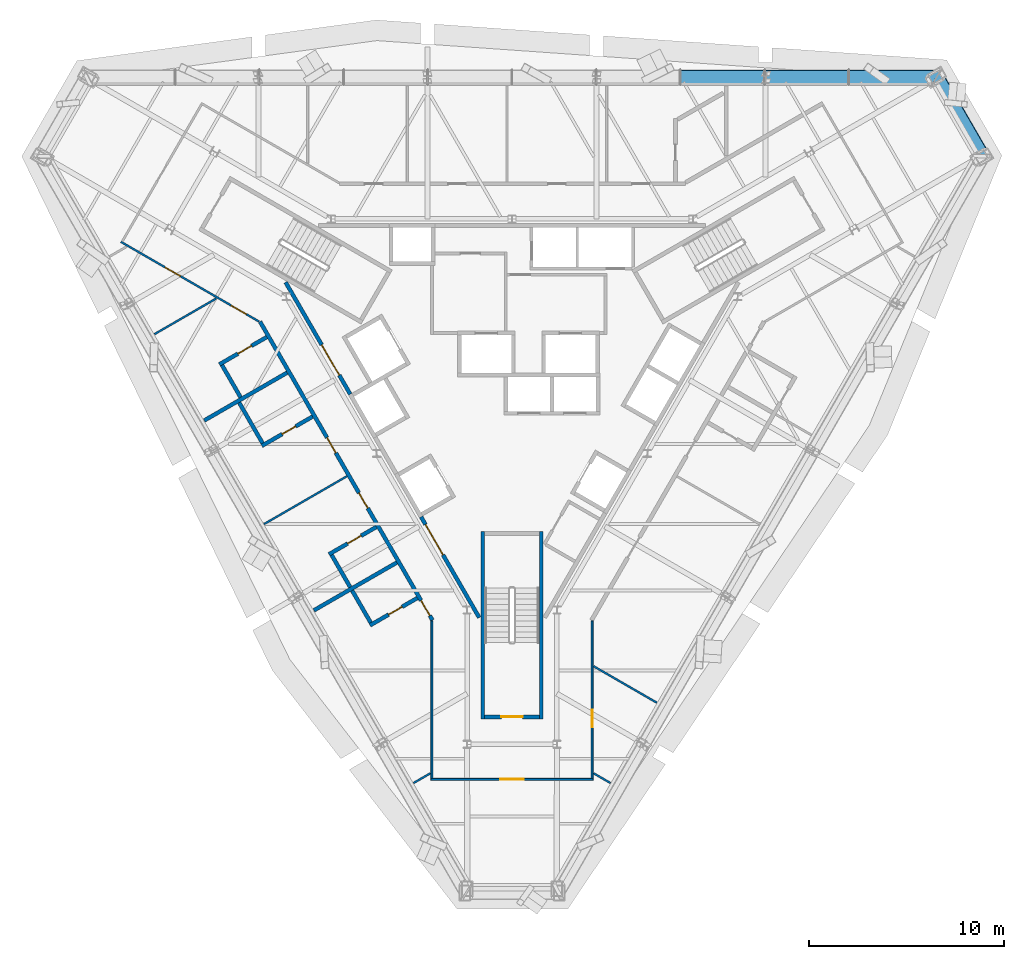
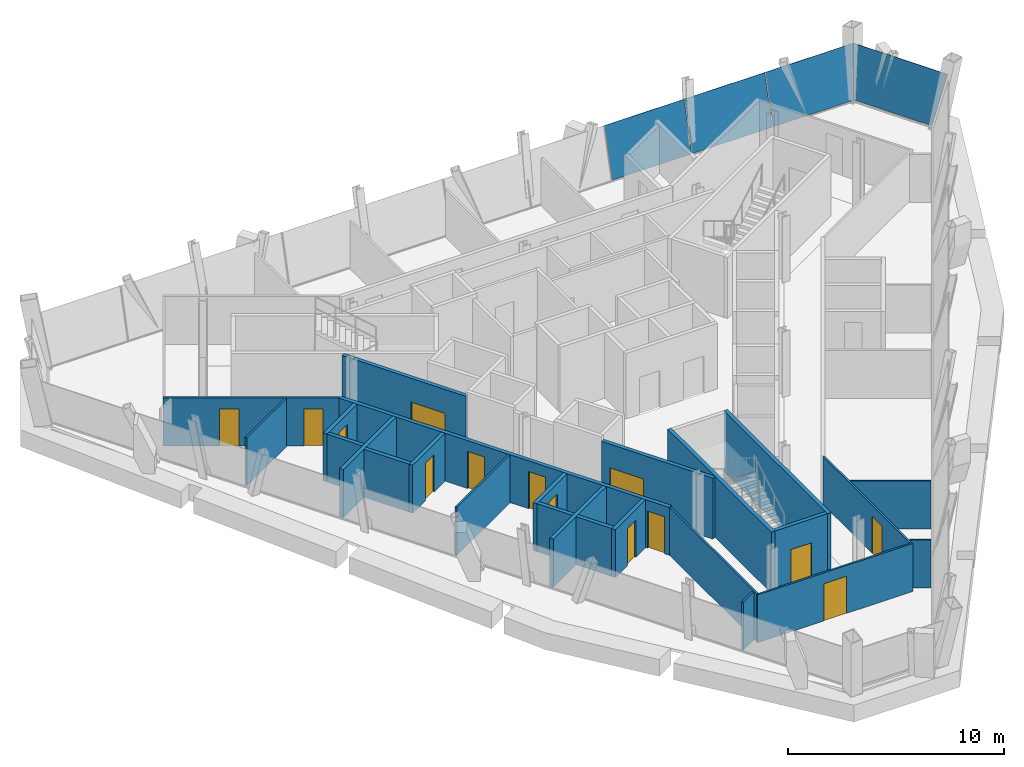
# One storey, part 6 of 10: 25 walls, 14 doors, 4 plates, 14 openings, 2 elements without a shape of their own.
"""IFC4 building model written with IfcOpenShell, lengths in metres."""

import ifcopenshell
import ifcopenshell.guid

model = None  # the IFC model being written
_history = None  # IfcOwnerHistory: only IFC2X3 demands one
_inside = {}  # id of a spatial element -> (the spatial element, [elements in it])
_under = {}  # id of a project, library or spatial element -> (it, [spatial elements below it])
_declared = {}  # id of a project -> (the project, [libraries it declares])
_typed = {}  # id of a type object -> (the type object, [elements of that type])
_made_of = {}  # id of a material, layer set ... -> (it, [elements and type objects made of it])


def new_model(schema):
    """Start an empty IFC model of exactly this schema.

    Asked for "IFC4X3", IfcOpenShell would pick the latest addendum, in which some entities
    have other attributes; the version numbers below select the first issue.
    IFC2X3 requires an IfcOwnerHistory on every rooted entity: one is made here for all.
    """
    global model, _history
    if schema == "IFC4X3":
        model = ifcopenshell.file(schema_version=(4, 3, 0, 0))
    else:
        model = ifcopenshell.file(schema=schema)
    _inside.clear()
    _under.clear()
    _declared.clear()
    _typed.clear()
    _made_of.clear()
    _history = None
    if model.schema == "IFC2X3":
        org = make("IfcOrganization", Name="unknown")
        user = make(
            "IfcPersonAndOrganization",
            ThePerson=make("IfcPerson", FamilyName="unknown"),
            TheOrganization=org,
        )
        app = make(
            "IfcApplication",
            ApplicationDeveloper=org,
            Version="unknown",
            ApplicationFullName="unknown",
            ApplicationIdentifier="unknown",
        )
        _history = make(
            "IfcOwnerHistory",
            OwningUser=user,
            OwningApplication=app,
            ChangeAction="ADDED",
            CreationDate=0,
        )
    return model


def make(cls, **values):
    """One entity of the class cls with the attributes given. An attribute that is None is left unset."""
    return model.create_entity(
        cls, **{name: value for name, value in values.items() if value is not None}
    )


def rooted(cls, **values):
    """An entity with a GlobalId (a new one), such as an element, a storey or a relation."""
    return make(cls, GlobalId=ifcopenshell.guid.new(), OwnerHistory=_history, **values)


def si_unit(unit_type, name, prefix=None):
    """IfcSIUnit, for example si_unit("LENGTHUNIT", "METRE", prefix="MILLI")."""
    return make("IfcSIUnit", UnitType=unit_type, Prefix=prefix, Name=name)


def assignment(units):
    """IfcUnitAssignment: the units of a project."""
    return None if units is None else make("IfcUnitAssignment", Units=units)


def point(xyz):
    """IfcCartesianPoint."""
    return None if xyz is None else make("IfcCartesianPoint", Coordinates=xyz)


def direction(xyz):
    """IfcDirection."""
    return None if xyz is None else make("IfcDirection", DirectionRatios=xyz)


def frame(location, z_axis=None, x_axis=None):
    """IfcAxis2Placement3D, a coordinate frame: its origin and axes. An axis left out is left unset."""
    return make(
        "IfcAxis2Placement3D",
        Location=point(location),
        Axis=direction(z_axis),
        RefDirection=direction(x_axis),
    )


def frame_2d(location, x_axis=None):
    """IfcAxis2Placement2D, a coordinate frame in the plane: its origin and x axis."""
    return make(
        "IfcAxis2Placement2D", Location=point(location), RefDirection=direction(x_axis)
    )


def origin():
    """The frame at (0, 0, 0) with its axes left unset."""
    return frame((0.0, 0.0, 0.0))


def place(relative_to, where):
    """IfcLocalPlacement: puts the frame where relative to a parent placement (None: the world)."""
    return make(
        "IfcLocalPlacement", PlacementRelTo=relative_to, RelativePlacement=where
    )


def context(
    kind, dimensions, precision=None, world=None, true_north=None, identifier=None
):
    """IfcGeometricRepresentationContext, for example the 3D "Model" context."""
    return make(
        "IfcGeometricRepresentationContext",
        ContextIdentifier=identifier,
        ContextType=kind,
        CoordinateSpaceDimension=dimensions,
        Precision=precision,
        WorldCoordinateSystem=world,
        TrueNorth=true_north,
    )


def subcontext(parent, identifier, kind, view, scale=None):
    """IfcGeometricRepresentationSubContext, for example "Body" below "Model"."""
    return make(
        "IfcGeometricRepresentationSubContext",
        ContextIdentifier=identifier,
        ContextType=kind,
        ParentContext=parent,
        TargetScale=scale,
        TargetView=view,
    )


def project(units=None, contexts=None):
    """IfcProject with its units and contexts."""
    return rooted(
        "IfcProject",
        Name="project",
        RepresentationContexts=contexts,
        UnitsInContext=assignment(units),
    )


def spatial(cls, under=None, at=None, **own):
    """A site, building, storey or space (cls), placed at a placement, below another one or the project."""
    s = rooted(cls, ObjectPlacement=at, **own)
    if under is not None:
        _under.setdefault(under.id(), (under, []))[1].append(s)
    return s


def polyline(points):
    """IfcPolyline through the points."""
    return make("IfcPolyline", Points=[point(p) for p in points])


def profile(cls, at=None, kind="AREA", **sizes):
    """A parametric profile (cls). Its sizes go by their IFC names, for example OverallWidth=200.0."""
    return make(cls, ProfileType=kind, Position=at, **sizes)


def rectangle(**sizes):
    """IfcRectangleProfileDef."""
    return profile("IfcRectangleProfileDef", **sizes)


def outline(outer, holes=None, kind="AREA"):
    """IfcArbitraryClosedProfileDef: a profile drawn as a closed curve; with holes, ...WithVoids."""
    if holes is None:
        return make("IfcArbitraryClosedProfileDef", ProfileType=kind, OuterCurve=outer)
    return make(
        "IfcArbitraryProfileDefWithVoids",
        ProfileType=kind,
        OuterCurve=outer,
        InnerCurves=holes,
    )


def extrude(swept, where, along, depth):
    """IfcExtrudedAreaSolid: the profile swept, set in the frame where, extruded along a direction by depth."""
    return make(
        "IfcExtrudedAreaSolid",
        SweptArea=swept,
        Position=where,
        ExtrudedDirection=direction(along),
        Depth=depth,
    )


def shape(context_of_items, identifier, shape_type, items):
    """IfcShapeRepresentation: the items that make up one representation, for example the "Body"."""
    return make(
        "IfcShapeRepresentation",
        ContextOfItems=context_of_items,
        RepresentationIdentifier=identifier,
        RepresentationType=shape_type,
        Items=items,
    )


def material(Name=None, Category=None):
    """IfcMaterial."""
    return make("IfcMaterial", Name=Name, Category=Category)


def layer(
    of_material, thickness, ventilated=None, Name=None, Category=None, Priority=None
):
    """IfcMaterialLayer: one layer of a wall or slab, of a material (None: an air gap)."""
    return make(
        "IfcMaterialLayer",
        Material=of_material,
        LayerThickness=thickness,
        IsVentilated=ventilated,
        Name=Name,
        Category=Category,
        Priority=Priority,
    )


def layer_set(layers, Name=None):
    """IfcMaterialLayerSet."""
    return make("IfcMaterialLayerSet", MaterialLayers=layers, LayerSetName=Name)


def made_of(thing, what):
    """Note that an element or type object is made of a material, layer set ...; save() writes the relation."""
    if what is not None:
        _made_of.setdefault(what.id(), (what, []))[1].append(thing)
    return thing


def type_object(cls, material=None, **own):
    """A type object (cls), such as IfcWallType, which elements share."""
    return made_of(rooted(cls, **own), material)


def element(
    cls,
    number,
    at=None,
    inside=None,
    cuts=None,
    type_object=None,
    material=None,
    context=None,
    identifier="Body",
    shape_type=None,
    held_by="IfcProductDefinitionShape",
    body=None,
    shapes=None,
    **own,
):
    """One element of the class cls, such as IfcWall. Its Tag is "e" and its number.

    at: its placement. inside: the storey or other place that contains it. cuts: it is an
    opening in that element (IfcRelVoidsElement). A single representation is given by context,
    identifier, shape_type and body (its items); several are given by shapes. held_by: the class
    of the entity that holds the representations. save() writes the other relations.
    """
    e = rooted(cls, Tag="e%d" % number, ObjectPlacement=at, **own)
    if body is not None:
        shapes = [shape(context, identifier, shape_type, body)]
    if shapes is not None:
        e.Representation = make(held_by, Representations=shapes)
    if inside is not None:
        _inside.setdefault(inside.id(), (inside, []))[1].append(e)
    if cuts is not None:
        rooted(
            "IfcRelVoidsElement", RelatingBuildingElement=cuts, RelatedOpeningElement=e
        )
    if type_object is not None:
        _typed.setdefault(type_object.id(), (type_object, []))[1].append(e)
    return made_of(e, material)


def fill(opening, filler):
    """IfcRelFillsElement: the door or window that sits in an opening."""
    return rooted(
        "IfcRelFillsElement",
        RelatingOpeningElement=opening,
        RelatedBuildingElement=filler,
    )


def aggregate(whole, parts):
    """IfcRelAggregates: a whole, such as a stair, and the parts it consists of."""
    return rooted("IfcRelAggregates", RelatingObject=whole, RelatedObjects=parts)


def save(model, path):
    """Write the relations noted so far, then the file.

    IfcRelAggregates (storeys below a building ...), IfcRelContainedInSpatialStructure (elements
    in a storey), IfcRelDefinesByType, IfcRelAssociatesMaterial and IfcRelDeclares: one each for
    every whole, place, type object, material and project.
    """
    for whole, parts in _under.values():
        aggregate(whole, parts)
    for where, things in _inside.values():
        rooted(
            "IfcRelContainedInSpatialStructure",
            RelatedElements=things,
            RelatingStructure=where,
        )
    for kind, things in _typed.values():
        rooted("IfcRelDefinesByType", RelatedObjects=things, RelatingType=kind)
    for what, things in _made_of.values():
        rooted("IfcRelAssociatesMaterial", RelatedObjects=things, RelatingMaterial=what)
    for by, libraries in _declared.values():
        rooted("IfcRelDeclares", RelatingContext=by, RelatedDefinitions=libraries)
    model.write(path)


model = new_model("IFC4")

# Units and contexts
model_context = context("Model", 3, precision=1e-05, world=origin(), true_north=direction((0.0, 1.0)))
body_context = subcontext(model_context, "Body", "Model", "MODEL_VIEW")
ifc_project = project(units=[si_unit("LENGTHUNIT", "METRE"), si_unit("AREAUNIT", "SQUARE_METRE"), si_unit("VOLUMEUNIT", "CUBIC_METRE"), si_unit("PLANEANGLEUNIT", "RADIAN"), si_unit("MASSUNIT", "GRAM", prefix="KILO")], contexts=[model_context])

# Site, building, storey
site_placement = place(None, origin())
site = spatial("IfcSite", under=ifc_project, at=site_placement, CompositionType="ELEMENT")
building_placement = place(site_placement, origin())
building = spatial("IfcBuilding", under=site, at=building_placement, Name="Verrane Prism Tower", CompositionType="ELEMENT")
storey_placement = place(building_placement, frame((0.0, 0.0, 213.800048828125)))
storey = spatial("IfcBuildingStorey", under=building, at=storey_placement, Name="L53", CompositionType="ELEMENT", Elevation=213.800048828125)

# Curtain wall, plates
ifc_material_1 = material(Name="Aluminium framed insulated glazing", Category="aluminium")
curtain_wall_type_1 = type_object("IfcCurtainWallType", Name="Curtain wall CW-C 4200 module", PredefinedType="NOTDEFINED", material=ifc_material_1)
curtain_wall_1_placement = place(storey_placement, origin())
curtain_wall_1 = element("IfcCurtainWall", 1, at=curtain_wall_1_placement, inside=storey, type_object=curtain_wall_type_1, Name="Glazed curtain wall north face L53", PredefinedType="NOTDEFINED")
ifc_material_2 = material(Name="Low-iron insulating glass unit", Category="glass")
ifc_layer_1 = layer(ifc_material_2, 0.02392578125)
ifc_layer_set_1 = layer_set([ifc_layer_1], Name="Glazing panel IGU 24")
plate_type_1 = type_object("IfcPlateType", Name="Glazing panel IGU 24", PredefinedType="CURTAIN_PANEL", material=ifc_layer_set_1)
plate_1_placement = place(storey_placement, frame((21.500732421875, 14.90185546875, 0.050048828125), z_axis=(0.0, -0.967145712681, 0.254222678854), x_axis=(-1.0, 0.0, 0.0)))
plate_1 = element("IfcPlate", 2, at=plate_1_placement, type_object=plate_type_1, Name="CW51.2 panel 1", PredefinedType="CURTAIN_PANEL", context=body_context, shape_type="SweptSolid", body=[
    extrude(outline(polyline([(0.0, 0.0), (4.235107421875, 0.0), (4.235107421875, -2.7532994893751868), (-0.4296875, -2.7532994893751868), (0.0, 0.0)])), origin(), (0.0, 0.0, -1.0), 0.02392578125),
])
plate_2_placement = place(storey_placement, frame((17.215576171875, 14.90185546875, 0.050048828125), z_axis=(0.0, -0.967145712681, 0.254222678854), x_axis=(-1.0, 0.0, 0.0)))
plate_2 = element("IfcPlate", 3, at=plate_2_placement, type_object=plate_type_1, Name="CW51.2 panel 2", PredefinedType="CURTAIN_PANEL", context=body_context, shape_type="SweptSolid", body=[
    extrude(outline(polyline([(0.0, 0.0), (4.260009765625, 0.0), (4.260009765625, -2.753299489375187), (0.0, -2.753299489375187), (0.0, 0.0)])), origin(), (0.0, 0.0, -1.0), 0.02392578125),
])
plate_3_placement = place(storey_placement, frame((12.905517578125, 14.90185546875, 0.050048828125), z_axis=(0.0, -0.967145712681, 0.254222678854), x_axis=(-1.0, 0.0, 0.0)))
plate_3 = element("IfcPlate", 4, at=plate_3_placement, type_object=plate_type_1, Name="CW51.2 panel 3", PredefinedType="CURTAIN_PANEL", context=body_context, shape_type="SweptSolid", body=[
    extrude(outline(polyline([(0.0, 0.0), (4.26025390625, 0.0), (4.26025390625, -2.753299489375187), (0.0, -2.753299489375187), (0.0, 0.0)])), origin(), (0.0, 0.0, -1.0), 0.02392578125),
])
aggregate(curtain_wall_1, [plate_1, plate_2, plate_3])

# Curtain wall, plate
ifc_material_3 = material(Name="Aluminium framed insulated glazing", Category="aluminium")
curtain_wall_type_2 = type_object("IfcCurtainWallType", Name="Curtain wall CW-A 8400 module", PredefinedType="NOTDEFINED", material=ifc_material_3)
curtain_wall_2_placement = place(storey_placement, origin())
curtain_wall_2 = element("IfcCurtainWall", 5, at=curtain_wall_2_placement, inside=storey, type_object=curtain_wall_type_2, Name="Glazed curtain wall north-east corner L53", PredefinedType="NOTDEFINED")
ifc_material_4 = material(Name="Low-iron insulating glass unit", Category="glass")
ifc_layer_2 = layer(ifc_material_4, 0.031982421875)
ifc_layer_set_2 = layer_set([ifc_layer_2], Name="Glazing panel IGU 32")
plate_type_2 = type_object("IfcPlateType", Name="Glazing panel IGU 32", PredefinedType="CURTAIN_PANEL", material=ifc_layer_set_2)
plate_4_placement = place(storey_placement, frame((23.645751953125, 11.2734375, 0.070068359375), z_axis=(-0.837139903127, -0.483322588729, 0.256117273563), x_axis=(-0.500000944108, 0.866024858687, -5.3308e-06)))
plate_4 = element("IfcPlate", 6, at=plate_4_placement, type_object=plate_type_2, Name="CW51.1 panel 1", PredefinedType="CURTAIN_PANEL", context=body_context, shape_type="SweptSolid", body=[
    extrude(outline(polyline([(0.0, 0.0), (4.189787488082788, 5.551115123125783e-17), (4.5936776246947675, -2.7340386526086373), (-0.4391962847408639, -2.733987792031287), (0.0, 0.0)])), origin(), (0.0, 0.0, -1.0), 0.031982421875),
])
aggregate(curtain_wall_2, [plate_4])

# Wall, opening, door
ifc_material_5 = material(Name="Gypsum board partition", Category="other")
ifc_layer_3 = layer(ifc_material_5, 0.199951171875)
ifc_layer_set_3 = layer_set([ifc_layer_3], Name="CW-200 core boundary wall 2 h")
wall_type_1 = type_object("IfcWallType", Name="CW-200 core boundary wall 2 h", PredefinedType="PARTITIONING", material=ifc_layer_set_3)
wall_1_placement = place(storey_placement, frame((-11.590576171875, 4.7548828125, 0.0), z_axis=(0.0, 0.0, 1.0), x_axis=(0.500043977787, -0.866000011708, 0.0)))
wall_1 = element("IfcWall", 7, at=wall_1_placement, inside=storey, type_object=wall_type_1, Name="Core boundary wall CW3-001", PredefinedType="PARTITIONING", context=body_context, shape_type="SweptSolid", body=[
    extrude(rectangle(XDim=6.61669921875, YDim=0.199951171875, at=frame_2d((3.308349609375, 0.0))), origin(), (0.0, 0.0, 1.0), 3.449951171875),
])
opening_1_placement = place(wall_1_placement, frame((3.695068359375, 0.0, 0.0)))
opening_1 = element("IfcOpeningElement", 8, at=opening_1_placement, cuts=wall_1, Name="Opening D51510", PredefinedType="OPENING", context=body_context, shape_type="SweptSolid", body=[
    extrude(rectangle(XDim=1.800048828125, YDim=2.10009765625, at=frame_2d((0.89990234375, 1.050048828125))), frame((0.0, 0.10986328125, 0.0), z_axis=(0.0, -1.0, 0.0), x_axis=(1.0, 0.0, 0.0)), (0.0, 0.0, 1.0), 0.219970703125),
])
ifc_material_6 = material(Name="Timber veneered door leaf", Category="wood")
door_type_1 = type_object("IfcDoorType", Name="DR-1800x2100 FD60 double leaf lift lobby", OperationType="NOTDEFINED", PredefinedType="DOOR", material=ifc_material_6)
door_1_placement = place(opening_1_placement, origin())
door_1 = element("IfcDoor", 9, at=door_1_placement, inside=storey, type_object=door_type_1, Name="Lift lobby door D51510", OperationType="DOUBLE_DOOR_SINGLE_SWING", OverallHeight=2.10009765625, OverallWidth=1.800048828125, PredefinedType="DOOR", context=body_context, shape_type="SweptSolid", body=[
    extrude(rectangle(XDim=1.800048828125, YDim=2.10009765625, at=frame_2d((0.89990234375, 1.050048828125))), frame((0.0, 0.02490234375, 0.0), z_axis=(0.0, -1.0, 0.0), x_axis=(1.0, 0.0, 0.0)), (0.0, 0.0, 1.0), 0.050048828125),
])
fill(opening_1, door_1)

wall_2_placement = place(storey_placement, frame((-4.655029296875, -7.257080078125, 0.0), z_axis=(0.0, 0.0, 1.0), x_axis=(0.499966124405, -0.866044960985, 0.0)))
wall_2 = element("IfcWall", 10, at=wall_2_placement, inside=storey, type_object=wall_type_1, Name="Core boundary wall CW3-004", PredefinedType="PARTITIONING", context=body_context, shape_type="SweptSolid", body=[
    extrude(rectangle(XDim=5.95556640625, YDim=0.199951171875, at=frame_2d((2.977783203125, 0.0))), origin(), (0.0, 0.0, 1.0), 3.449951171875),
])
opening_2_placement = place(wall_2_placement, frame((0.449951171875, 0.0, 0.0)))
opening_2 = element("IfcOpeningElement", 11, at=opening_2_placement, cuts=wall_2, Name="Opening D51511", PredefinedType="OPENING", context=body_context, shape_type="SweptSolid", body=[
    extrude(rectangle(XDim=1.800048828125, YDim=2.10009765625, at=frame_2d((0.89990234375, 1.050048828125))), frame((0.0, 0.10986328125, 0.0), z_axis=(0.0, -1.0, 0.0), x_axis=(1.0, 0.0, 0.0)), (0.0, 0.0, 1.0), 0.219970703125),
])
door_2_placement = place(opening_2_placement, origin())
door_2 = element("IfcDoor", 12, at=door_2_placement, inside=storey, type_object=door_type_1, Name="Lift lobby door D51511", OperationType="DOUBLE_DOOR_SINGLE_SWING", OverallHeight=2.10009765625, OverallWidth=1.800048828125, PredefinedType="DOOR", context=body_context, shape_type="SweptSolid", body=[
    extrude(rectangle(XDim=1.800048828125, YDim=2.10009765625, at=frame_2d((0.89990234375, 1.050048828125))), frame((0.0, 0.02490234375, 0.0), z_axis=(0.0, -1.0, 0.0), x_axis=(1.0, 0.0, 0.0)), (0.0, 0.0, 1.0), 0.050048828125),
])
fill(opening_2, door_2)

ifc_material_7 = material(Name="Concrete C40/50", Category="concrete")
ifc_layer_4 = layer(ifc_material_7, 0.199951171875)
ifc_layer_set_4 = layer_set([ifc_layer_4], Name="CW-200 stair core wall concrete C40/50 3 h")
wall_type_2 = type_object("IfcWallType", Name="CW-200 stair core wall concrete C40/50 3 h", PredefinedType="PARTITIONING", material=ifc_layer_set_4)
wall_3_placement = place(storey_placement, frame((-1.39990234375, -17.5, 0.0), z_axis=(0.0, 0.0, 1.0), x_axis=(1.0, 0.0, 0.0)))
wall_3 = element("IfcWall", 13, at=wall_3_placement, inside=storey, type_object=wall_type_2, Name="Stair 3 enclosure wall", PredefinedType="PARTITIONING", context=body_context, shape_type="SweptSolid", body=[
    extrude(rectangle(XDim=2.7998046875, YDim=0.199951171875, at=frame_2d((1.39990234375, 0.0))), origin(), (0.0, 0.0, 1.0), 3.449951171875),
])
opening_3_placement = place(wall_3_placement, frame((0.85009765625, 0.0, 0.0)))
opening_3 = element("IfcOpeningElement", 14, at=opening_3_placement, cuts=wall_3, Name="Opening D51502", PredefinedType="OPENING", context=body_context, shape_type="SweptSolid", body=[
    extrude(rectangle(XDim=1.10009765625, YDim=2.10009765625, at=frame_2d((0.550048828125, 1.050048828125))), frame((0.0, 0.10986328125, 0.0), z_axis=(0.0, -1.0, 0.0), x_axis=(1.0, 0.0, 0.0)), (0.0, 0.0, 1.0), 0.219970703125),
])
ifc_material_8 = material(Name="Timber veneered door leaf", Category="wood")
door_type_2 = type_object("IfcDoorType", Name="DR-1100x2100 FD90 single leaf stair", OperationType="NOTDEFINED", PredefinedType="DOOR", material=ifc_material_8)
door_3_placement = place(opening_3_placement, origin())
door_3 = element("IfcDoor", 15, at=door_3_placement, inside=storey, type_object=door_type_2, Name="Stair 3 door", OperationType="SINGLE_SWING_LEFT", OverallHeight=2.10009765625, OverallWidth=1.10009765625, PredefinedType="DOOR", context=body_context, shape_type="SweptSolid", body=[
    extrude(rectangle(XDim=1.10009765625, YDim=2.10009765625, at=frame_2d((0.550048828125, 1.050048828125))), frame((0.0, 0.02490234375, 0.0), z_axis=(0.0, -1.0, 0.0), x_axis=(1.0, 0.0, 0.0)), (0.0, 0.0, 1.0), 0.050048828125),
])
fill(opening_3, door_3)

# Walls
for number, where, z_axis, x_axis, name in (
    (16, (1.5, -8.0, 0.0), (0.0, 0.0, 1.0), (0.0, -1.0, 0.0), "Stair 3 enclosure wall"),
    (17, (-1.5, -8.0, 0.0), (0.0, 0.0, 1.0), (0.0, -1.0, 0.0), "Stair 3 enclosure wall"),
):
    element("IfcWall", number, at=place(storey_placement, frame(where, z_axis=z_axis, x_axis=x_axis)), inside=storey, type_object=wall_type_2, Name=name, PredefinedType="PARTITIONING", context=body_context, shape_type="SweptSolid", body=[
        extrude(rectangle(XDim=9.60009765625, YDim=0.199951171875, at=frame_2d((4.800048828125, 0.0))), origin(), (0.0, 0.0, 1.0), 3.449951171875),
    ])

# Wall, openings, doors
ifc_material_9 = material(Name="Gypsum board partition", Category="other")
ifc_layer_5 = layer(ifc_material_9, 0.10009765625)
ifc_layer_set_5 = layer_set([ifc_layer_5], Name="PW-100 room partition")
wall_type_3 = type_object("IfcWallType", Name="PW-100 room partition", PredefinedType="PARTITIONING", material=ifc_layer_set_5)
wall_4_placement = place(storey_placement, frame((-12.95166015625, 2.744384765625, 0.0), z_axis=(0.0, 0.0, 1.0), x_axis=(-0.86608949446, 0.499888975259, 0.0)))
wall_4 = element("IfcWall", 18, at=wall_4_placement, inside=storey, type_object=wall_type_3, Name="Room partition 003", PredefinedType="PARTITIONING", context=body_context, shape_type="SweptSolid", body=[
    extrude(rectangle(XDim=8.164794921875, YDim=0.10009765625, at=frame_2d((4.08251953125, 0.0))), origin(), (0.0, 0.0, 1.0), 2.712890625),
])
opening_4_placement = place(wall_4_placement, frame((4.64990234375, 0.0, 0.0)))
opening_4 = element("IfcOpeningElement", 19, at=opening_4_placement, cuts=wall_4, Name="Opening D51014", PredefinedType="OPENING", context=body_context, shape_type="SweptSolid", body=[
    extrude(rectangle(XDim=0.89990234375, YDim=2.10009765625, at=frame_2d((0.449951171875, 1.050048828125))), frame((0.0, 0.06005859375, 0.0), z_axis=(0.0, -1.0, 0.0), x_axis=(1.0, 0.0, 0.0)), (0.0, 0.0, 1.0), 0.1201171875),
])
opening_5_placement = place(wall_4_placement, frame((0.74609375, 0.0, 0.0)))
opening_5 = element("IfcOpeningElement", 20, at=opening_5_placement, cuts=wall_4, Name="Opening D51015", PredefinedType="OPENING", context=body_context, shape_type="SweptSolid", body=[
    extrude(rectangle(XDim=0.89990234375, YDim=2.10009765625, at=frame_2d((0.449951171875, 1.050048828125))), frame((0.0, 0.06005859375, 0.0), z_axis=(0.0, -1.0, 0.0), x_axis=(1.0, 0.0, 0.0)), (0.0, 0.0, 1.0), 0.1201171875),
])
ifc_material_10 = material(Name="Timber veneered door leaf", Category="wood")
door_type_3 = type_object("IfcDoorType", Name="DR-900x2100 single leaf inner", OperationType="NOTDEFINED", PredefinedType="DOOR", material=ifc_material_10)
door_4_placement = place(opening_5_placement, origin())
door_4 = element("IfcDoor", 21, at=door_4_placement, inside=storey, type_object=door_type_3, Name="Bedroom door", OperationType="SINGLE_SWING_RIGHT", OverallHeight=2.10009765625, OverallWidth=0.89990234375, PredefinedType="DOOR", context=body_context, shape_type="SweptSolid", body=[
    extrude(rectangle(XDim=0.89990234375, YDim=2.10009765625, at=frame_2d((0.449951171875, 1.050048828125))), frame((0.0, 0.02490234375, 0.0), z_axis=(0.0, -1.0, 0.0), x_axis=(1.0, 0.0, 0.0)), (0.0, 0.0, 1.0), 0.050048828125),
])
fill(opening_5, door_4)
ifc_material_11 = material(Name="Timber veneered door leaf", Category="wood")
door_type_4 = type_object("IfcDoorType", Name="DR-900x2100 single leaf unit", OperationType="NOTDEFINED", PredefinedType="DOOR", material=ifc_material_11)
door_5_placement = place(opening_4_placement, origin())
door_5 = element("IfcDoor", 22, at=door_5_placement, inside=storey, type_object=door_type_4, Name="Kitchen door", OperationType="SINGLE_SWING_LEFT", OverallHeight=2.10009765625, OverallWidth=0.89990234375, PredefinedType="DOOR", context=body_context, shape_type="SweptSolid", body=[
    extrude(rectangle(XDim=0.89990234375, YDim=2.10009765625, at=frame_2d((0.449951171875, 1.050048828125))), frame((0.0, 0.02490234375, 0.0), z_axis=(0.0, -1.0, 0.0), x_axis=(1.0, 0.0, 0.0)), (0.0, 0.0, 1.0), 0.050048828125),
])
fill(opening_4, door_5)

# Walls
wall_5_placement = place(storey_placement, frame((-18.3076171875, 2.09912109375, 0.0), z_axis=(0.0, 0.0, 1.0), x_axis=(0.866054218355, 0.499950088379, 0.0)))
element("IfcWall", 23, at=wall_5_placement, inside=storey, type_object=wall_type_3, Name="Room partition 004", PredefinedType="PARTITIONING", context=body_context, shape_type="SweptSolid", body=[
    extrude(rectangle(XDim=3.651611328125, YDim=0.10009765625, at=frame_2d((1.82568359375, 0.0))), origin(), (0.0, 0.0, 1.0), 2.712890625),
])
wall_6_placement = place(storey_placement, frame((-12.694091796875, -7.624267578125, 0.0), z_axis=(0.0, 0.0, 1.0), x_axis=(0.865991567799, 0.500058601068, 0.0)))
element("IfcWall", 24, at=wall_6_placement, inside=storey, type_object=wall_type_3, Name="Room partition 012", PredefinedType="PARTITIONING", context=body_context, shape_type="SweptSolid", body=[
    extrude(rectangle(XDim=4.90380859375, YDim=0.10009765625, at=frame_2d((2.451904296875, 0.0))), origin(), (0.0, 0.0, 1.0), 2.712890625),
])
wall_7_placement = place(storey_placement, frame((-5.039794921875, -20.882080078125, 0.0), z_axis=(0.0, 0.0, 1.0), x_axis=(0.866234439787, 0.499637764112, 0.0)))
element("IfcWall", 25, at=wall_7_placement, inside=storey, type_object=wall_type_3, Name="Room partition 021", PredefinedType="PARTITIONING", context=body_context, shape_type="SweptSolid", body=[
    extrude(rectangle(XDim=0.998291015625, YDim=0.10009765625, at=frame_2d((0.4990234375, 0.0))), origin(), (0.0, 0.0, 1.0), 2.712890625),
])
wall_8_placement = place(storey_placement, frame((-4.10009765625, -20.64990234375, 0.0), z_axis=(0.0, 0.0, 1.0), x_axis=(0.0, 1.0, 0.0)))
element("IfcWall", 26, at=wall_8_placement, inside=storey, type_object=wall_type_3, Name="Room partition 022", PredefinedType="PARTITIONING", context=body_context, shape_type="SweptSolid", body=[
    extrude(rectangle(XDim=8.06298828125, YDim=0.10009765625, at=frame_2d((4.031494140625, 0.0))), origin(), (0.0, 0.0, 1.0), 2.712890625),
])

# Wall, opening, door
wall_9_placement = place(storey_placement, frame((4.14990234375, -20.699951171875, 0.0), z_axis=(0.0, 0.0, 1.0), x_axis=(-1.0, 0.0, 0.0)))
wall_9 = element("IfcWall", 27, at=wall_9_placement, inside=storey, type_object=wall_type_3, Name="Room partition 023", PredefinedType="PARTITIONING", context=body_context, shape_type="SweptSolid", body=[
    extrude(rectangle(XDim=8.2998046875, YDim=0.10009765625, at=frame_2d((4.14990234375, 0.0))), origin(), (0.0, 0.0, 1.0), 2.712890625),
])
opening_6_placement = place(wall_9_placement, frame((3.550048828125, 0.0, 0.0)))
opening_6 = element("IfcOpeningElement", 28, at=opening_6_placement, cuts=wall_9, Name="Opening D51023", PredefinedType="OPENING", context=body_context, shape_type="SweptSolid", body=[
    extrude(rectangle(XDim=1.199951171875, YDim=2.10009765625, at=frame_2d((0.60009765625, 1.050048828125))), frame((0.0, 0.06005859375, 0.0), z_axis=(0.0, -1.0, 0.0), x_axis=(1.0, 0.0, 0.0)), (0.0, 0.0, 1.0), 0.1201171875),
])
ifc_material_12 = material(Name="Timber veneered door leaf", Category="wood")
door_type_5 = type_object("IfcDoorType", Name="DR-1200x2100 single leaf unit", OperationType="NOTDEFINED", PredefinedType="DOOR", material=ifc_material_12)
door_6_placement = place(opening_6_placement, origin())
door_6 = element("IfcDoor", 29, at=door_6_placement, inside=storey, type_object=door_type_5, Name="Living And Dining Room door", OperationType="SINGLE_SWING_RIGHT", OverallHeight=2.10009765625, OverallWidth=1.199951171875, PredefinedType="DOOR", context=body_context, shape_type="SweptSolid", body=[
    extrude(rectangle(XDim=1.199951171875, YDim=2.10009765625, at=frame_2d((0.60009765625, 1.050048828125))), frame((0.0, 0.02490234375, 0.0), z_axis=(0.0, -1.0, 0.0), x_axis=(1.0, 0.0, 0.0)), (0.0, 0.0, 1.0), 0.050048828125),
])
fill(opening_6, door_6)

wall_10_placement = place(storey_placement, frame((4.10009765625, -12.5869140625, 0.0), z_axis=(0.0, 0.0, 1.0), x_axis=(0.0, -1.0, 0.0)))
wall_10 = element("IfcWall", 30, at=wall_10_placement, inside=storey, type_object=wall_type_3, Name="Room partition 025", PredefinedType="PARTITIONING", context=body_context, shape_type="SweptSolid", body=[
    extrude(rectangle(XDim=8.06298828125, YDim=0.10009765625, at=frame_2d((4.031494140625, 0.0))), origin(), (0.0, 0.0, 1.0), 2.712890625),
])
opening_7_placement = place(wall_10_placement, frame((4.552978515625, 0.0, 0.0)))
opening_7 = element("IfcOpeningElement", 31, at=opening_7_placement, cuts=wall_10, Name="Opening D51001", PredefinedType="OPENING", context=body_context, shape_type="SweptSolid", body=[
    extrude(rectangle(XDim=0.89990234375, YDim=2.10009765625, at=frame_2d((0.449951171875, 1.050048828125))), frame((0.0, 0.06005859375, 0.0), z_axis=(0.0, -1.0, 0.0), x_axis=(1.0, 0.0, 0.0)), (0.0, 0.0, 1.0), 0.1201171875),
])
door_7_placement = place(opening_7_placement, origin())
door_7 = element("IfcDoor", 32, at=door_7_placement, inside=storey, type_object=door_type_4, Name="Kitchen door", OperationType="SINGLE_SWING_RIGHT", OverallHeight=2.10009765625, OverallWidth=0.89990234375, PredefinedType="DOOR", context=body_context, shape_type="SweptSolid", body=[
    extrude(rectangle(XDim=0.89990234375, YDim=2.10009765625, at=frame_2d((0.449951171875, 1.050048828125))), frame((0.0, 0.02490234375, 0.0), z_axis=(0.0, -1.0, 0.0), x_axis=(1.0, 0.0, 0.0)), (0.0, 0.0, 1.0), 0.050048828125),
])
fill(opening_7, door_7)

# Walls
wall_11_placement = place(storey_placement, frame((4.175048828125, -20.38330078125, 0.0), z_axis=(0.0, 0.0, 1.0), x_axis=(0.866234439787, -0.499637764112, 0.0)))
element("IfcWall", 33, at=wall_11_placement, inside=storey, type_object=wall_type_3, Name="Room partition 026", PredefinedType="PARTITIONING", context=body_context, shape_type="SweptSolid", body=[
    extrude(rectangle(XDim=0.998291015625, YDim=0.10009765625, at=frame_2d((0.4990234375, 0.0))), origin(), (0.0, 0.0, 1.0), 2.712890625),
])
wall_12_placement = place(storey_placement, frame((4.175048828125, -14.900390625, 0.0), z_axis=(0.0, 0.0, 1.0), x_axis=(0.866057308191, -0.499944735875, 0.0)))
element("IfcWall", 34, at=wall_12_placement, inside=storey, type_object=wall_type_3, Name="Room partition 027", PredefinedType="PARTITIONING", context=body_context, shape_type="SweptSolid", body=[
    extrude(rectangle(XDim=3.73974609375, YDim=0.10009765625, at=frame_2d((1.869873046875, 0.0))), origin(), (0.0, 0.0, 1.0), 2.712890625),
])
ifc_material_13 = material(Name="Gypsum board partition", Category="other")
ifc_layer_6 = layer(ifc_material_13, 0.199951171875)
ifc_layer_set_6 = layer_set([ifc_layer_6], Name="PW-200 plumbing wall")
wall_type_4 = type_object("IfcWallType", Name="PW-200 plumbing wall", PredefinedType="PARTITIONING", material=ifc_layer_set_6)
wall_13_placement = place(storey_placement, frame((-15.755859375, -2.321044921875, 0.0), z_axis=(0.0, 0.0, 1.0), x_axis=(0.866042025588, 0.499971209087, 0.0)))
element("IfcWall", 35, at=wall_13_placement, inside=storey, type_object=wall_type_4, Name="Plumbing wall 006", PredefinedType="PARTITIONING", context=body_context, shape_type="SweptSolid", body=[
    extrude(rectangle(XDim=4.899169921875, YDim=0.199951171875, at=frame_2d((2.44970703125, 0.0))), origin(), (0.0, 0.0, 1.0), 2.712890625),
])
wall_14_placement = place(storey_placement, frame((-14.846923828125, 0.513427734375, 0.0), z_axis=(0.0, 0.0, 1.0), x_axis=(0.499911523785, -0.866076479525, 0.0)))
element("IfcWall", 36, at=wall_14_placement, inside=storey, type_object=wall_type_4, Name="Plumbing wall 007", PredefinedType="PARTITIONING", context=body_context, shape_type="SweptSolid", body=[
    extrude(rectangle(XDim=1.900146484375, YDim=0.199951171875, at=frame_2d((0.9501953125, 0.0))), origin(), (0.0, 0.0, 1.0), 2.712890625),
])

# Wall, opening, door
wall_15_placement = place(storey_placement, frame((-12.56298828125, 1.947509765625, 0.0), z_axis=(0.0, 0.0, 1.0), x_axis=(-0.866041588165, -0.499971966783, 0.0)))
wall_15 = element("IfcWall", 37, at=wall_15_placement, inside=storey, type_object=wall_type_4, Name="Plumbing wall 008", PredefinedType="PARTITIONING", context=body_context, shape_type="SweptSolid", body=[
    extrude(rectangle(XDim=2.795166015625, YDim=0.199951171875, at=frame_2d((1.3974609375, 0.0))), origin(), (0.0, 0.0, 1.0), 2.712890625),
])
opening_8_placement = place(wall_15_placement, frame((0.89501953125, 0.0, 0.0)))
opening_8 = element("IfcOpeningElement", 38, at=opening_8_placement, cuts=wall_15, Name="Opening D51016", PredefinedType="OPENING", context=body_context, shape_type="SweptSolid", body=[
    extrude(rectangle(XDim=0.800048828125, YDim=2.10009765625, at=frame_2d((0.39990234375, 1.050048828125))), frame((0.0, 0.10986328125, 0.0), z_axis=(0.0, -1.0, 0.0), x_axis=(1.0, 0.0, 0.0)), (0.0, 0.0, 1.0), 0.219970703125),
])
ifc_material_14 = material(Name="Timber veneered door leaf", Category="wood")
door_type_6 = type_object("IfcDoorType", Name="DR-800x2100 single leaf bath", OperationType="NOTDEFINED", PredefinedType="DOOR", material=ifc_material_14)
door_8_placement = place(opening_8_placement, origin())
door_8 = element("IfcDoor", 39, at=door_8_placement, inside=storey, type_object=door_type_6, Name="Bathroom door", OperationType="SINGLE_SWING_LEFT", OverallHeight=2.10009765625, OverallWidth=0.800048828125, PredefinedType="DOOR", context=body_context, shape_type="SweptSolid", body=[
    extrude(rectangle(XDim=0.800048828125, YDim=2.10009765625, at=frame_2d((0.39990234375, 1.050048828125))), frame((0.0, 0.02490234375, 0.0), z_axis=(0.0, -1.0, 0.0), x_axis=(1.0, 0.0, 0.0)), (0.0, 0.0, 1.0), 0.050048828125),
])
fill(opening_8, door_8)

# Wall
wall_16_placement = place(storey_placement, frame((-13.969970703125, -1.405517578125, 0.0), z_axis=(0.0, 0.0, 1.0), x_axis=(0.499784123135, -0.866150004481, 0.0)))
element("IfcWall", 40, at=wall_16_placement, inside=storey, type_object=wall_type_4, Name="Plumbing wall 009", PredefinedType="PARTITIONING", context=body_context, shape_type="SweptSolid", body=[
    extrude(rectangle(XDim=2.39892578125, YDim=0.199951171875, at=frame_2d((1.199462890625, 0.0))), origin(), (0.0, 0.0, 1.0), 2.712890625),
])

# Wall, openings, doors
wall_17_placement = place(storey_placement, frame((-4.074951171875, -12.54541015625, 0.0), z_axis=(0.0, 0.0, 1.0), x_axis=(-0.499999743747, 0.866025551732, 0.0)))
wall_17 = element("IfcWall", 41, at=wall_17_placement, inside=storey, type_object=wall_type_4, Name="Plumbing wall 010", PredefinedType="PARTITIONING", context=body_context, shape_type="SweptSolid", body=[
    extrude(rectangle(XDim=17.65625, YDim=0.199951171875, at=frame_2d((8.828125, 0.0))), origin(), (0.0, 0.0, 1.0), 2.712890625),
])
opening_9_placement = place(wall_17_placement, frame((9.89501953125, 0.0, 0.0)))
opening_9 = element("IfcOpeningElement", 42, at=opening_9_placement, cuts=wall_17, Name="Opening D51017", PredefinedType="OPENING", context=body_context, shape_type="SweptSolid", body=[
    extrude(rectangle(XDim=0.89990234375, YDim=2.10009765625, at=frame_2d((0.449951171875, 1.050048828125))), frame((0.0, 0.10986328125, 0.0), z_axis=(0.0, -1.0, 0.0), x_axis=(1.0, 0.0, 0.0)), (0.0, 0.0, 1.0), 0.219970703125),
])
opening_10_placement = place(wall_17_placement, frame((6.6220703125, 0.0, 0.0)))
opening_10 = element("IfcOpeningElement", 43, at=opening_10_placement, cuts=wall_17, Name="Opening D51019", PredefinedType="OPENING", context=body_context, shape_type="SweptSolid", body=[
    extrude(rectangle(XDim=0.89990234375, YDim=2.10009765625, at=frame_2d((0.449951171875, 1.050048828125))), frame((0.0, 0.10986328125, 0.0), z_axis=(0.0, -1.0, 0.0), x_axis=(1.0, 0.0, 0.0)), (0.0, 0.0, 1.0), 0.219970703125),
])
opening_11_placement = place(wall_17_placement, frame((0.26806640625, 0.0, 0.0)))
opening_11 = element("IfcOpeningElement", 44, at=opening_11_placement, cuts=wall_17, Name="Opening D51021", PredefinedType="OPENING", context=body_context, shape_type="SweptSolid", body=[
    extrude(rectangle(XDim=0.89990234375, YDim=2.10009765625, at=frame_2d((0.449951171875, 1.050048828125))), frame((0.0, 0.10986328125, 0.0), z_axis=(0.0, -1.0, 0.0), x_axis=(1.0, 0.0, 0.0)), (0.0, 0.0, 1.0), 0.219970703125),
])
door_9_placement = place(opening_9_placement, origin())
door_9 = element("IfcDoor", 45, at=door_9_placement, inside=storey, type_object=door_type_3, Name="Master Bedroom door", OperationType="SINGLE_SWING_RIGHT", OverallHeight=2.10009765625, OverallWidth=0.89990234375, PredefinedType="DOOR", context=body_context, shape_type="SweptSolid", body=[
    extrude(rectangle(XDim=0.89990234375, YDim=2.10009765625, at=frame_2d((0.449951171875, 1.050048828125))), frame((0.0, 0.02490234375, 0.0), z_axis=(0.0, -1.0, 0.0), x_axis=(1.0, 0.0, 0.0)), (0.0, 0.0, 1.0), 0.050048828125),
])
fill(opening_9, door_9)
door_10_placement = place(opening_10_placement, origin())
door_10 = element("IfcDoor", 46, at=door_10_placement, inside=storey, type_object=door_type_3, Name="Bedroom door", OperationType="SINGLE_SWING_RIGHT", OverallHeight=2.10009765625, OverallWidth=0.89990234375, PredefinedType="DOOR", context=body_context, shape_type="SweptSolid", body=[
    extrude(rectangle(XDim=0.89990234375, YDim=2.10009765625, at=frame_2d((0.449951171875, 1.050048828125))), frame((0.0, 0.02490234375, 0.0), z_axis=(0.0, -1.0, 0.0), x_axis=(1.0, 0.0, 0.0)), (0.0, 0.0, 1.0), 0.050048828125),
])
fill(opening_10, door_10)
door_11_placement = place(opening_11_placement, origin())
door_11 = element("IfcDoor", 47, at=door_11_placement, inside=storey, type_object=door_type_3, Name="Bedroom door", OperationType="SINGLE_SWING_RIGHT", OverallHeight=2.10009765625, OverallWidth=0.89990234375, PredefinedType="DOOR", context=body_context, shape_type="SweptSolid", body=[
    extrude(rectangle(XDim=0.89990234375, YDim=2.10009765625, at=frame_2d((0.449951171875, 1.050048828125))), frame((0.0, 0.02490234375, 0.0), z_axis=(0.0, -1.0, 0.0), x_axis=(1.0, 0.0, 0.0)), (0.0, 0.0, 1.0), 0.050048828125),
])
fill(opening_11, door_11)

# Wall, opening, door
wall_18_placement = place(storey_placement, frame((-12.8076171875, -3.619873046875, 0.0), z_axis=(0.0, 0.0, 1.0), x_axis=(0.866134024916, 0.499811815469, 0.0)))
wall_18 = element("IfcWall", 48, at=wall_18_placement, inside=storey, type_object=wall_type_4, Name="Plumbing wall 011", PredefinedType="PARTITIONING", context=body_context, shape_type="SweptSolid", body=[
    extrude(rectangle(XDim=2.995849609375, YDim=0.199951171875, at=frame_2d((1.498046875, 0.0))), origin(), (0.0, 0.0, 1.0), 2.712890625),
])
opening_12_placement = place(wall_18_placement, frame((1.199951171875, 0.0, 0.0)))
opening_12 = element("IfcOpeningElement", 49, at=opening_12_placement, cuts=wall_18, Name="Opening D51018", PredefinedType="OPENING", context=body_context, shape_type="SweptSolid", body=[
    extrude(rectangle(XDim=0.800048828125, YDim=2.10009765625, at=frame_2d((0.39990234375, 1.050048828125))), frame((0.0, 0.10986328125, 0.0), z_axis=(0.0, -1.0, 0.0), x_axis=(1.0, 0.0, 0.0)), (0.0, 0.0, 1.0), 0.219970703125),
])
door_12_placement = place(opening_12_placement, origin())
door_12 = element("IfcDoor", 50, at=door_12_placement, inside=storey, type_object=door_type_6, Name="Master Bathroom door", OperationType="SINGLE_SWING_RIGHT", OverallHeight=2.10009765625, OverallWidth=0.800048828125, PredefinedType="DOOR", context=body_context, shape_type="SweptSolid", body=[
    extrude(rectangle(XDim=0.800048828125, YDim=2.10009765625, at=frame_2d((0.39990234375, 1.050048828125))), frame((0.0, 0.02490234375, 0.0), z_axis=(0.0, -1.0, 0.0), x_axis=(1.0, 0.0, 0.0)), (0.0, 0.0, 1.0), 0.050048828125),
])
fill(opening_12, door_12)

# Walls
wall_19_placement = place(storey_placement, frame((-10.142822265625, -12.04296875, 0.0), z_axis=(0.0, 0.0, 1.0), x_axis=(0.866136679459, 0.49980721533, 0.0)))
element("IfcWall", 51, at=wall_19_placement, inside=storey, type_object=wall_type_4, Name="Plumbing wall 014", PredefinedType="PARTITIONING", context=body_context, shape_type="SweptSolid", body=[
    extrude(rectangle(XDim=4.90380859375, YDim=0.199951171875, at=frame_2d((2.451904296875, 0.0))), origin(), (0.0, 0.0, 1.0), 2.712890625),
])
wall_20_placement = place(storey_placement, frame((-9.23388671875, -9.209716796875, 0.0), z_axis=(0.0, 0.0, 1.0), x_axis=(0.499949193323, -0.866054735046, 0.0)))
element("IfcWall", 52, at=wall_20_placement, inside=storey, type_object=wall_type_4, Name="Plumbing wall 015", PredefinedType="PARTITIONING", context=body_context, shape_type="SweptSolid", body=[
    extrude(rectangle(XDim=1.895263671875, YDim=0.199951171875, at=frame_2d((0.94775390625, 0.0))), origin(), (0.0, 0.0, 1.0), 2.712890625),
])

# Wall, opening, door
wall_21_placement = place(storey_placement, frame((-6.949951171875, -7.775390625, 0.0), z_axis=(0.0, 0.0, 1.0), x_axis=(-0.866003766563, -0.500037474894, 0.0)))
wall_21 = element("IfcWall", 53, at=wall_21_placement, inside=storey, type_object=wall_type_4, Name="Plumbing wall 016", PredefinedType="PARTITIONING", context=body_context, shape_type="SweptSolid", body=[
    extrude(rectangle(XDim=2.795166015625, YDim=0.199951171875, at=frame_2d((1.3974609375, 0.0))), origin(), (0.0, 0.0, 1.0), 2.712890625),
])
opening_13_placement = place(wall_21_placement, frame((0.89501953125, 0.0, 0.0)))
opening_13 = element("IfcOpeningElement", 54, at=opening_13_placement, cuts=wall_21, Name="Opening D51020", PredefinedType="OPENING", context=body_context, shape_type="SweptSolid", body=[
    extrude(rectangle(XDim=0.800048828125, YDim=2.10009765625, at=frame_2d((0.39990234375, 1.050048828125))), frame((0.0, 0.10986328125, 0.0), z_axis=(0.0, -1.0, 0.0), x_axis=(1.0, 0.0, 0.0)), (0.0, 0.0, 1.0), 0.219970703125),
])
door_13_placement = place(opening_13_placement, origin())
door_13 = element("IfcDoor", 55, at=door_13_placement, inside=storey, type_object=door_type_6, Name="Bathroom door", OperationType="SINGLE_SWING_LEFT", OverallHeight=2.10009765625, OverallWidth=0.800048828125, PredefinedType="DOOR", context=body_context, shape_type="SweptSolid", body=[
    extrude(rectangle(XDim=0.800048828125, YDim=2.10009765625, at=frame_2d((0.39990234375, 1.050048828125))), frame((0.0, 0.02490234375, 0.0), z_axis=(0.0, -1.0, 0.0), x_axis=(1.0, 0.0, 0.0)), (0.0, 0.0, 1.0), 0.050048828125),
])
fill(opening_13, door_13)

# Wall
wall_22_placement = place(storey_placement, frame((-8.18408203125, -11.028564453125, 0.0), z_axis=(0.0, 0.0, 1.0), x_axis=(0.500134112126, -0.865947960265, 0.0)))
element("IfcWall", 56, at=wall_22_placement, inside=storey, type_object=wall_type_4, Name="Plumbing wall 018", PredefinedType="PARTITIONING", context=body_context, shape_type="SweptSolid", body=[
    extrude(rectangle(XDim=1.8994140625, YDim=0.199951171875, at=frame_2d((0.94970703125, 0.0))), origin(), (0.0, 0.0, 1.0), 2.712890625),
])

# Wall, opening, door
wall_23_placement = place(storey_placement, frame((-7.2705078125, -12.81005859375, 0.0), z_axis=(0.0, 0.0, 1.0), x_axis=(0.866041588165, 0.499971966783, 0.0)))
wall_23 = element("IfcWall", 57, at=wall_23_placement, inside=storey, type_object=wall_type_4, Name="Plumbing wall 019", PredefinedType="PARTITIONING", context=body_context, shape_type="SweptSolid", body=[
    extrude(rectangle(XDim=2.795166015625, YDim=0.199951171875, at=frame_2d((1.3974609375, 0.0))), origin(), (0.0, 0.0, 1.0), 2.712890625),
])
opening_14_placement = place(wall_23_placement, frame((1.10009765625, 0.0, 0.0)))
opening_14 = element("IfcOpeningElement", 58, at=opening_14_placement, cuts=wall_23, Name="Opening D51022", PredefinedType="OPENING", context=body_context, shape_type="SweptSolid", body=[
    extrude(rectangle(XDim=0.800048828125, YDim=2.10009765625, at=frame_2d((0.39990234375, 1.050048828125))), frame((0.0, 0.10986328125, 0.0), z_axis=(0.0, -1.0, 0.0), x_axis=(1.0, 0.0, 0.0)), (0.0, 0.0, 1.0), 0.219970703125),
])
door_14_placement = place(opening_14_placement, origin())
door_14 = element("IfcDoor", 59, at=door_14_placement, inside=storey, type_object=door_type_6, Name="Bathroom door", OperationType="SINGLE_SWING_RIGHT", OverallHeight=2.10009765625, OverallWidth=0.800048828125, PredefinedType="DOOR", context=body_context, shape_type="SweptSolid", body=[
    extrude(rectangle(XDim=0.800048828125, YDim=2.10009765625, at=frame_2d((0.39990234375, 1.050048828125))), frame((0.0, 0.02490234375, 0.0), z_axis=(0.0, -1.0, 0.0), x_axis=(1.0, 0.0, 0.0)), (0.0, 0.0, 1.0), 0.050048828125),
])
fill(opening_14, door_14)

save(model, "model.ifc")
